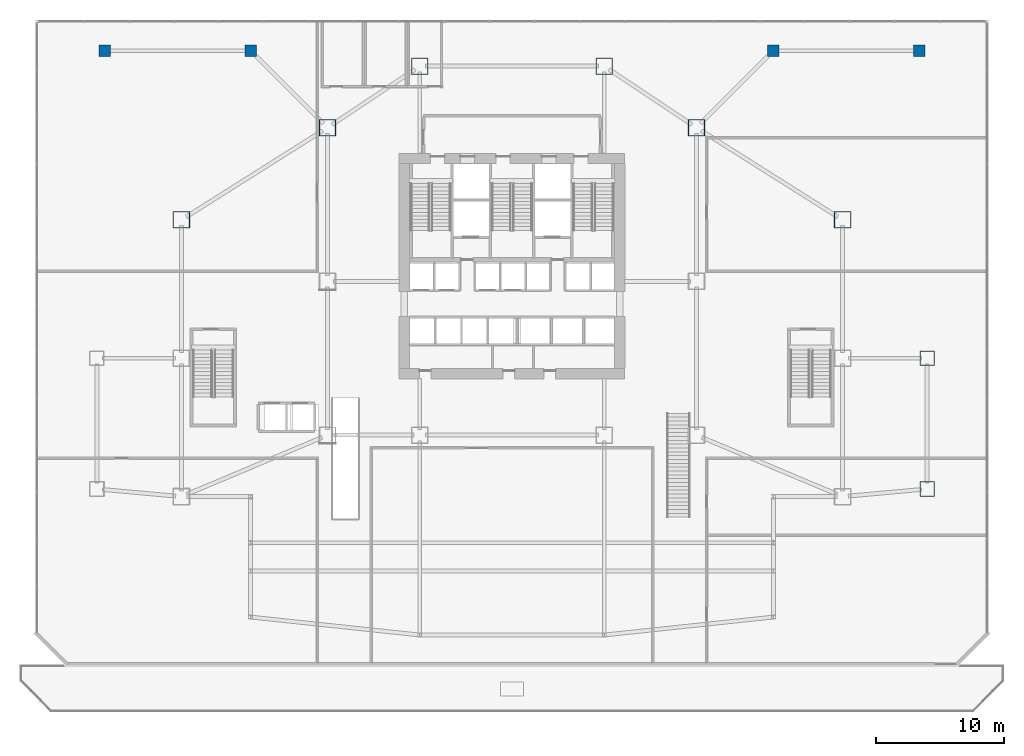
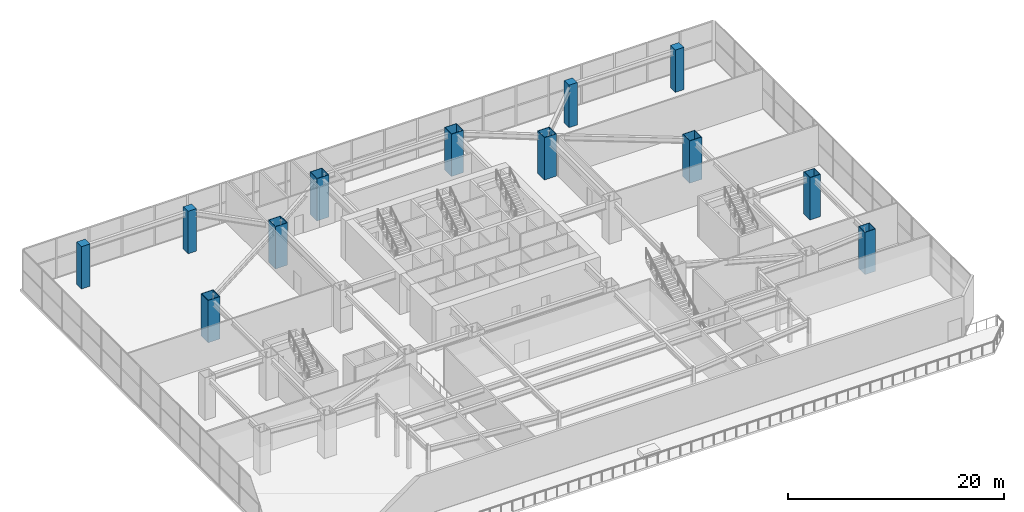
# One storey, part 3 of 31: 12 columns.
"""IFC4 building model written with IfcOpenShell, lengths in metres."""

from ifc_helpers import new_model, si_unit, direction, frame, origin, origin_2d, place, context, subcontext, project, spatial, rectangle, hollow_rectangle, extrude, material, material_profile, profile_set, type_object, element, save


model = new_model("IFC4")

# Units and contexts
model_context = context("Model", 3, precision=1e-05, world=origin(), true_north=direction((0.0, 1.0)))
body_context = subcontext(model_context, "Body", "Model", "MODEL_VIEW")
ifc_project = project(units=[si_unit("LENGTHUNIT", "METRE"), si_unit("AREAUNIT", "SQUARE_METRE"), si_unit("VOLUMEUNIT", "CUBIC_METRE"), si_unit("PLANEANGLEUNIT", "RADIAN"), si_unit("MASSUNIT", "GRAM", prefix="KILO")], contexts=[model_context])

# Site, building, storey
site_placement = place(None, origin())
site = spatial("IfcSite", under=ifc_project, at=site_placement, CompositionType="ELEMENT")
building_placement = place(site_placement, origin())
building = spatial("IfcBuilding", under=site, at=building_placement, Name="Haolan Belvedere Tower", CompositionType="ELEMENT")
storey_placement = place(building_placement, frame((0.0, 0.0, 5.39990234375)))
storey = spatial("IfcBuildingStorey", under=building, at=storey_placement, Name="L01", CompositionType="ELEMENT", Elevation=5.39990234375)

# Columns
ifc_material_1 = material(Name="Steel Q355B", Category="steel")
ifc_material_profile_1 = material_profile(ifc_material_1, hollow_rectangle(XDim=1.14990234375, YDim=1.14990234375, WallThickness=0.0419921875, at=origin_2d()), Name="Steel Q355B")
ifc_profile_set_1 = profile_set([ifc_material_profile_1], Name="Steel Q355B")
column_type_1 = type_object("IfcColumnType", Name="COL-BOX1150x1150x42", PredefinedType="COLUMN", material=ifc_profile_set_1)
for number, where, z_axis, x_axis, name in (
    (1, (70.800048828125, 17.39990234375, 0.0), (0.0, 0.0, 1.0), (1.0, 0.0, 0.0), "L01 column MC-T5-SE (BOX1150x1150x42)"),
    (2, (70.800048828125, 27.60009765625, 0.0), (0.0, 0.0, 1.0), (1.0, 0.0, 0.0), "L01 column MC-T5-NE (BOX1150x1150x42)"),
):
    element("IfcColumn", number, at=place(storey_placement, frame(where, z_axis=z_axis, x_axis=x_axis)), inside=storey, type_object=column_type_1, Name=name, PredefinedType="COLUMN", context=body_context, shape_type="SweptSolid", body=[
        extrude(hollow_rectangle(XDim=1.14990234375, YDim=1.14990234375, WallThickness=0.0419921875, at=origin_2d()), origin(), (0.0, 0.0, 1.0), 4.800048828125),
    ])
ifc_material_profile_2 = material_profile(ifc_material_1, hollow_rectangle(XDim=1.300048828125, YDim=1.300048828125, WallThickness=0.048095703125, at=origin_2d()), Name="Steel Q355B")
ifc_profile_set_2 = profile_set([ifc_material_profile_2], Name="Steel Q355B")
column_type_2 = type_object("IfcColumnType", Name="COL-BOX1300x1300x48", PredefinedType="COLUMN", material=ifc_profile_set_2)
for number, where, z_axis, x_axis, name in (
    (3, (24.0, 45.60009765625, 0.0), (0.0, 0.0, 1.0), (1.0, 0.0, 0.0), "L01 column MC-T3-NW (BOX1300x1300x48)"),
    (4, (52.800048828125, 45.60009765625, 0.0), (0.0, 0.0, 1.0), (1.0, 0.0, 0.0), "L01 column MC-T3-NE (BOX1300x1300x48)"),
    (5, (31.199951171875, 50.39990234375, 0.0), (0.0, 0.0, 1.0), (1.0, 0.0, 0.0), "L01 column MC-T3-N1 (BOX1300x1300x48)"),
    (6, (45.60009765625, 50.39990234375, 0.0), (0.0, 0.0, 1.0), (1.0, 0.0, 0.0), "L01 column MC-T3-N2 (BOX1300x1300x48)"),
    (7, (12.60009765625, 38.39990234375, 0.0), (0.0, 0.0, 1.0), (1.0, 0.0, 0.0), "L01 column MC-T2-NW (BOX1300x1300x48)"),
    (8, (64.199951171875, 38.39990234375, 0.0), (0.0, 0.0, 1.0), (1.0, 0.0, 0.0), "L01 column MC-T4-NE (BOX1300x1300x48)"),
):
    element("IfcColumn", number, at=place(storey_placement, frame(where, z_axis=z_axis, x_axis=x_axis)), inside=storey, type_object=column_type_2, Name=name, PredefinedType="COLUMN", context=body_context, shape_type="SweptSolid", body=[
        extrude(hollow_rectangle(XDim=1.300048828125, YDim=1.300048828125, WallThickness=0.048095703125, at=origin_2d()), origin(), (0.0, 0.0, 1.0), 4.800048828125),
    ])
ifc_material_2 = material(Name="Concrete C50/60", Category="concrete")
ifc_material_profile_3 = material_profile(ifc_material_2, rectangle(XDim=0.89990234375, YDim=0.89990234375, at=origin_2d()), Name="Concrete C50/60")
ifc_profile_set_3 = profile_set([ifc_material_profile_3], Name="Concrete C50/60")
column_type_3 = type_object("IfcColumnType", Name="COL-RC900x900", PredefinedType="COLUMN", material=ifc_profile_set_3)
for number, where, z_axis, x_axis, name in (
    (9, (6.60009765625, 51.60009765625, 0.0), (0.0, 0.0, 1.0), (1.0, 0.0, 0.0), "L01 column PC-NW-1 (RC900x900)"),
    (10, (18.0, 51.60009765625, 0.0), (0.0, 0.0, 1.0), (1.0, 0.0, 0.0), "L01 column PC-NW-2 (RC900x900)"),
    (11, (58.800048828125, 51.60009765625, 0.0), (0.0, 0.0, 1.0), (1.0, 0.0, 0.0), "L01 column PC-NE-1 (RC900x900)"),
    (12, (70.199951171875, 51.60009765625, 0.0), (0.0, 0.0, 1.0), (1.0, 0.0, 0.0), "L01 column PC-NE-2 (RC900x900)"),
):
    element("IfcColumn", number, at=place(storey_placement, frame(where, z_axis=z_axis, x_axis=x_axis)), inside=storey, type_object=column_type_3, Name=name, PredefinedType="COLUMN", context=body_context, shape_type="SweptSolid", body=[
        extrude(rectangle(XDim=0.89990234375, YDim=0.89990234375, at=origin_2d()), origin(), (0.0, 0.0, 1.0), 4.800048828125),
    ])

save(model, "model.ifc")
